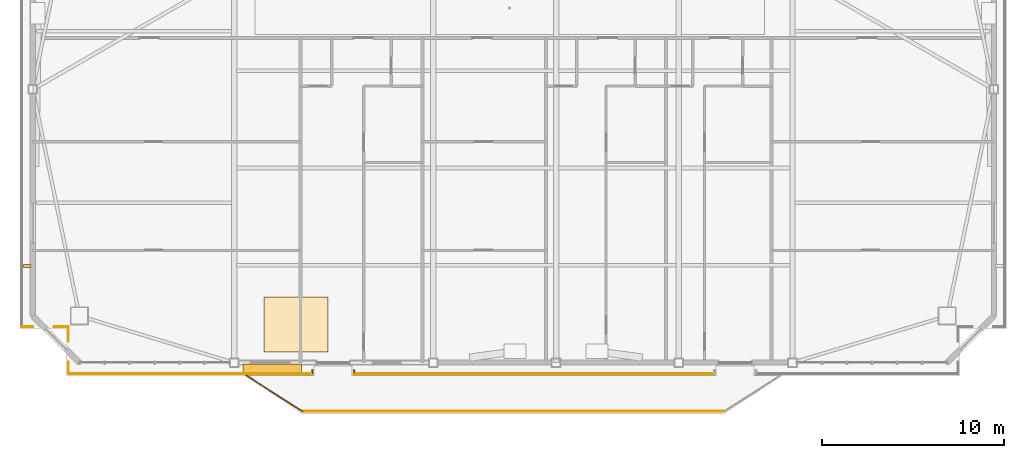
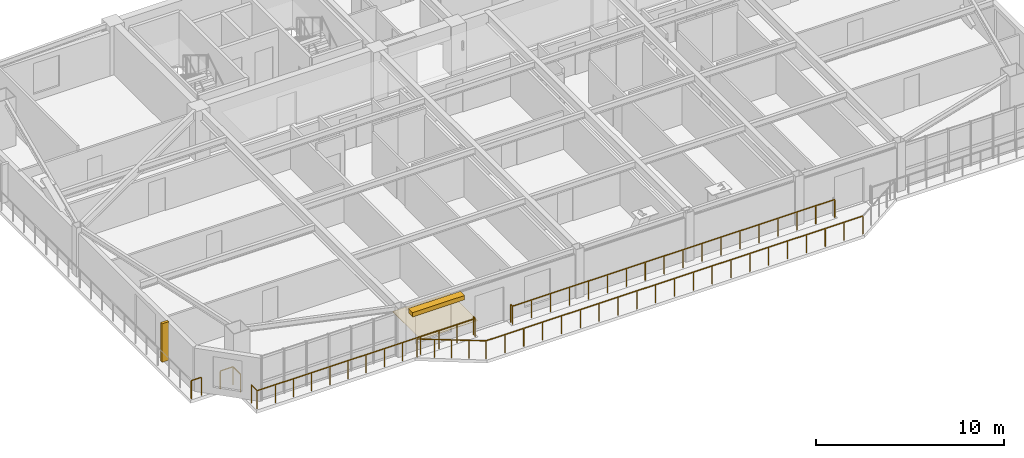
# One storey, part 13 of 18: 10 railings, 2 shading devices, 1 covering.
"""IFC4 building model written with IfcOpenShell, lengths in metres."""

from ifc_helpers import new_model, si_unit, direction, frame, origin, origin_2d, place, context, subcontext, project, spatial, polyline, rectangle, outline, extrude, source, transform, mapped, material, layer, layer_set, type_object, element, save


model = new_model("IFC4")

# Units and contexts
model_context = context("Model", 3, precision=1e-05, world=origin(), true_north=direction((0.0, 1.0)))
body_context = subcontext(model_context, "Body", "Model", "MODEL_VIEW")
ifc_project = project(units=[si_unit("LENGTHUNIT", "METRE"), si_unit("AREAUNIT", "SQUARE_METRE"), si_unit("VOLUMEUNIT", "CUBIC_METRE"), si_unit("PLANEANGLEUNIT", "RADIAN"), si_unit("MASSUNIT", "GRAM", prefix="KILO")], contexts=[model_context])

# Site, building, storey
site_placement = place(None, origin())
site = spatial("IfcSite", under=ifc_project, at=site_placement, CompositionType="ELEMENT")
building_placement = place(site_placement, origin())
building = spatial("IfcBuilding", under=site, at=building_placement, Name="Giltprow Tower", CompositionType="ELEMENT")
storey_placement = place(building_placement, frame((0.0, 0.0, 262.10009765625)))
storey = spatial("IfcBuildingStorey", under=building, at=storey_placement, Name="L67", CompositionType="ELEMENT", Elevation=262.10009765625)

# Covering
ifc_material_1 = material(Name="Engineered oak", Category="wood")
ifc_layer = layer(ifc_material_1, 0.02490234375, Name="Engineered oak")
ifc_layer_set = layer_set([ifc_layer], Name="Engineered oak")
covering_type = type_object("IfcCoveringType", Name="COV-FLR-TIMBER", PredefinedType="FLOORING", material=ifc_layer_set)
covering_placement = place(storey_placement, origin())
element("IfcCovering", 1, at=covering_placement, inside=storey, type_object=covering_type, Name="L67 Residence Oak Parquet Flooring", PredefinedType="FLOORING", context=body_context, shape_type="SweptSolid", body=[
    extrude(outline(polyline([(21.5, 16.64501953125), (25.0, 16.64501953125), (25.0, 19.64501953125), (21.5, 19.64501953125), (21.5, 16.64501953125)])), origin(), (0.0, 0.0, 1.0), 0.02490234375),
])

# Railings
ifc_material_2 = material(Name="Anodized bronze", Category="metal")
railing_type = type_object("IfcRailingType", Name="RAIL-BALC-GUARD-1200", PredefinedType="BALUSTRADE", material=ifc_material_2)
railing_1_placement = place(storey_placement, frame((20.52001953125, 15.344970703125, 0.0)))
element("IfcRailing", 2, at=railing_1_placement, inside=storey, type_object=railing_type, Name="L67 Waterfront Balcony Balustrade Seg 1", PredefinedType="BALUSTRADE", context=body_context, shape_type="SweptSolid", body=[
    extrude(rectangle(XDim=0.048095703125, YDim=0.048095703125, at=origin_2d()), frame((0.0, 0.0, 1.17578125), z_axis=(0.84277487735, -0.538266203757, 0.0), x_axis=(0.538266203757, 0.84277487735, 0.0)), (0.0, 0.0, 1.0), 3.678466796875),
    extrude(rectangle(XDim=0.0419921875, YDim=0.0419921875, at=origin_2d()), origin(), (0.0, 0.0, 1.0), 1.15185546875),
    extrude(rectangle(XDim=0.0419921875, YDim=0.0419921875, at=origin_2d()), frame((0.77490234375, -0.4951171875, 0.0)), (0.0, 0.0, 1.0), 1.15185546875),
    extrude(rectangle(XDim=0.0419921875, YDim=0.0419921875, at=origin_2d()), frame((1.550048828125, -0.989990234375, 0.0)), (0.0, 0.0, 1.0), 1.15185546875),
    extrude(rectangle(XDim=0.0419921875, YDim=0.0419921875, at=origin_2d()), frame((2.3251953125, -1.48486328125, 0.0)), (0.0, 0.0, 1.0), 1.15185546875),
    extrude(rectangle(XDim=0.0419921875, YDim=0.0419921875, at=origin_2d()), frame((3.10009765625, -1.97998046875, 0.0)), (0.0, 0.0, 1.0), 1.15185546875),
])
railing_2_placement = place(storey_placement, frame((23.6201171875, 13.364990234375, 0.0)))
element("IfcRailing", 3, at=railing_2_placement, inside=storey, type_object=railing_type, Name="L67 Waterfront Balcony Balustrade Seg 2", PredefinedType="BALUSTRADE", context=body_context, shape_type="SweptSolid", body=[
    extrude(rectangle(XDim=0.048095703125, YDim=0.048095703125, at=origin_2d()), frame((0.0, 0.0, 1.17578125), z_axis=(1.0, 0.0, 0.0), x_axis=(0.0, 1.0, 0.0)), (0.0, 0.0, 1.0), 23.159912109375),
    extrude(rectangle(XDim=0.0419921875, YDim=0.0419921875, at=origin_2d()), origin(), (0.0, 0.0, 1.0), 1.15185546875),
    extrude(rectangle(XDim=0.0419921875, YDim=0.0419921875, at=origin_2d()), frame((1.157958984375, 0.0, 0.0)), (0.0, 0.0, 1.0), 1.15185546875),
    extrude(rectangle(XDim=0.0419921875, YDim=0.0419921875, at=origin_2d()), frame((2.31591796875, 0.0, 0.0)), (0.0, 0.0, 1.0), 1.15185546875),
    extrude(rectangle(XDim=0.0419921875, YDim=0.0419921875, at=origin_2d()), frame((3.473876953125, 0.0, 0.0)), (0.0, 0.0, 1.0), 1.15185546875),
    extrude(rectangle(XDim=0.0419921875, YDim=0.0419921875, at=origin_2d()), frame((4.632080078125, 0.0, 0.0)), (0.0, 0.0, 1.0), 1.15185546875),
    extrude(rectangle(XDim=0.0419921875, YDim=0.0419921875, at=origin_2d()), frame((5.7900390625, 0.0, 0.0)), (0.0, 0.0, 1.0), 1.15185546875),
    extrude(rectangle(XDim=0.0419921875, YDim=0.0419921875, at=origin_2d()), frame((6.947998046875, 0.0, 0.0)), (0.0, 0.0, 1.0), 1.15185546875),
    extrude(rectangle(XDim=0.0419921875, YDim=0.0419921875, at=origin_2d()), frame((8.10595703125, 0.0, 0.0)), (0.0, 0.0, 1.0), 1.15185546875),
    extrude(rectangle(XDim=0.0419921875, YDim=0.0419921875, at=origin_2d()), frame((9.263916015625, 0.0, 0.0)), (0.0, 0.0, 1.0), 1.15185546875),
    extrude(rectangle(XDim=0.0419921875, YDim=0.0419921875, at=origin_2d()), frame((10.421875, 0.0, 0.0)), (0.0, 0.0, 1.0), 1.15185546875),
    extrude(rectangle(XDim=0.0419921875, YDim=0.0419921875, at=origin_2d()), frame((11.580078125, 0.0, 0.0)), (0.0, 0.0, 1.0), 1.15185546875),
    extrude(rectangle(XDim=0.0419921875, YDim=0.0419921875, at=origin_2d()), frame((12.738037109375, 0.0, 0.0)), (0.0, 0.0, 1.0), 1.15185546875),
    extrude(rectangle(XDim=0.0419921875, YDim=0.0419921875, at=origin_2d()), frame((13.89599609375, 0.0, 0.0)), (0.0, 0.0, 1.0), 1.15185546875),
    extrude(rectangle(XDim=0.0419921875, YDim=0.0419921875, at=origin_2d()), frame((15.053955078125, 0.0, 0.0)), (0.0, 0.0, 1.0), 1.15185546875),
    extrude(rectangle(XDim=0.0419921875, YDim=0.0419921875, at=origin_2d()), frame((16.2119140625, 0.0, 0.0)), (0.0, 0.0, 1.0), 1.15185546875),
    extrude(rectangle(XDim=0.0419921875, YDim=0.0419921875, at=origin_2d()), frame((17.369873046875, 0.0, 0.0)), (0.0, 0.0, 1.0), 1.15185546875),
    extrude(rectangle(XDim=0.0419921875, YDim=0.0419921875, at=origin_2d()), frame((18.52783203125, 0.0, 0.0)), (0.0, 0.0, 1.0), 1.15185546875),
    extrude(rectangle(XDim=0.0419921875, YDim=0.0419921875, at=origin_2d()), frame((19.68603515625, 0.0, 0.0)), (0.0, 0.0, 1.0), 1.15185546875),
    extrude(rectangle(XDim=0.0419921875, YDim=0.0419921875, at=origin_2d()), frame((20.843994140625, 0.0, 0.0)), (0.0, 0.0, 1.0), 1.15185546875),
    extrude(rectangle(XDim=0.0419921875, YDim=0.0419921875, at=origin_2d()), frame((22.001953125, 0.0, 0.0)), (0.0, 0.0, 1.0), 1.15185546875),
    extrude(rectangle(XDim=0.0419921875, YDim=0.0419921875, at=origin_2d()), frame((23.159912109375, 0.0, 0.0)), (0.0, 0.0, 1.0), 1.15185546875),
])
railing_3_placement = place(storey_placement, frame((46.25, 15.445068359375, 0.0)))
element("IfcRailing", 4, at=railing_3_placement, inside=storey, type_object=railing_type, Name="L67 Corner Apron Edge Balustrade 9", PredefinedType="BALUSTRADE", context=body_context, shape_type="SweptSolid", body=[
    extrude(rectangle(XDim=0.048095703125, YDim=0.048095703125, at=origin_2d()), frame((0.0, 0.0, 1.17578125), z_axis=(-1.0, 0.0, 0.0), x_axis=(0.0, -1.0, 0.0)), (0.0, 0.0, 1.0), 19.800048828125),
    extrude(rectangle(XDim=0.0419921875, YDim=0.0419921875, at=origin_2d()), origin(), (0.0, 0.0, 1.0), 1.15185546875),
    extrude(rectangle(XDim=0.0419921875, YDim=0.0419921875, at=origin_2d()), frame((-1.164794921875, 0.0, 0.0)), (0.0, 0.0, 1.0), 1.15185546875),
    extrude(rectangle(XDim=0.0419921875, YDim=0.0419921875, at=origin_2d()), frame((-2.329345703125, 0.0, 0.0)), (0.0, 0.0, 1.0), 1.15185546875),
    extrude(rectangle(XDim=0.0419921875, YDim=0.0419921875, at=origin_2d()), frame((-3.494140625, 0.0, 0.0)), (0.0, 0.0, 1.0), 1.15185546875),
    extrude(rectangle(XDim=0.0419921875, YDim=0.0419921875, at=origin_2d()), frame((-4.658935546875, 0.0, 0.0)), (0.0, 0.0, 1.0), 1.15185546875),
    extrude(rectangle(XDim=0.0419921875, YDim=0.0419921875, at=origin_2d()), frame((-5.823486328125, 0.0, 0.0)), (0.0, 0.0, 1.0), 1.15185546875),
    extrude(rectangle(XDim=0.0419921875, YDim=0.0419921875, at=origin_2d()), frame((-6.98828125, 0.0, 0.0)), (0.0, 0.0, 1.0), 1.15185546875),
    extrude(rectangle(XDim=0.0419921875, YDim=0.0419921875, at=origin_2d()), frame((-8.153076171875, 0.0, 0.0)), (0.0, 0.0, 1.0), 1.15185546875),
    extrude(rectangle(XDim=0.0419921875, YDim=0.0419921875, at=origin_2d()), frame((-9.317626953125, 0.0, 0.0)), (0.0, 0.0, 1.0), 1.15185546875),
    extrude(rectangle(XDim=0.0419921875, YDim=0.0419921875, at=origin_2d()), frame((-10.482421875, 0.0, 0.0)), (0.0, 0.0, 1.0), 1.15185546875),
    extrude(rectangle(XDim=0.0419921875, YDim=0.0419921875, at=origin_2d()), frame((-11.64697265625, 0.0, 0.0)), (0.0, 0.0, 1.0), 1.15185546875),
    extrude(rectangle(XDim=0.0419921875, YDim=0.0419921875, at=origin_2d()), frame((-12.811767578125, 0.0, 0.0)), (0.0, 0.0, 1.0), 1.15185546875),
    extrude(rectangle(XDim=0.0419921875, YDim=0.0419921875, at=origin_2d()), frame((-13.9765625, 0.0, 0.0)), (0.0, 0.0, 1.0), 1.15185546875),
    extrude(rectangle(XDim=0.0419921875, YDim=0.0419921875, at=origin_2d()), frame((-15.14111328125, 0.0, 0.0)), (0.0, 0.0, 1.0), 1.15185546875),
    extrude(rectangle(XDim=0.0419921875, YDim=0.0419921875, at=origin_2d()), frame((-16.305908203125, 0.0, 0.0)), (0.0, 0.0, 1.0), 1.15185546875),
    extrude(rectangle(XDim=0.0419921875, YDim=0.0419921875, at=origin_2d()), frame((-17.470703125, 0.0, 0.0)), (0.0, 0.0, 1.0), 1.15185546875),
    extrude(rectangle(XDim=0.0419921875, YDim=0.0419921875, at=origin_2d()), frame((-18.63525390625, 0.0, 0.0)), (0.0, 0.0, 1.0), 1.15185546875),
    extrude(rectangle(XDim=0.0419921875, YDim=0.0419921875, at=origin_2d()), frame((-19.800048828125, 0.0, 0.0)), (0.0, 0.0, 1.0), 1.15185546875),
])
railing_4_placement = place(storey_placement, frame((26.449951171875, 15.445068359375, 0.0)))
element("IfcRailing", 5, at=railing_4_placement, inside=storey, type_object=railing_type, Name="L67 Corner Apron Edge Balustrade 10", PredefinedType="BALUSTRADE", context=body_context, shape_type="SweptSolid", body=[
    extrude(rectangle(XDim=0.048095703125, YDim=0.048095703125, at=origin_2d()), frame((0.0, 0.0, 1.17578125), z_axis=(0.0, 1.0, 0.0), x_axis=(-1.0, 0.0, 0.0)), (0.0, 0.0, 1.0), 0.199951171875),
    extrude(rectangle(XDim=0.0419921875, YDim=0.0419921875, at=origin_2d()), origin(), (0.0, 0.0, 1.0), 1.15185546875),
    extrude(rectangle(XDim=0.0419921875, YDim=0.0419921875, at=origin_2d()), frame((0.0, 0.199951171875, 0.0)), (0.0, 0.0, 1.0), 1.15185546875),
])
railing_5_placement = place(storey_placement, frame((24.14990234375, 15.64501953125, 0.0)))
element("IfcRailing", 6, at=railing_5_placement, inside=storey, type_object=railing_type, Name="L67 Corner Apron Edge Balustrade 11", PredefinedType="BALUSTRADE", context=body_context, shape_type="SweptSolid", body=[
    extrude(rectangle(XDim=0.048095703125, YDim=0.048095703125, at=origin_2d()), frame((0.0, 0.0, 1.17578125), z_axis=(0.0, -1.0, 0.0), x_axis=(1.0, 0.0, 0.0)), (0.0, 0.0, 1.0), 0.199951171875),
    extrude(rectangle(XDim=0.0419921875, YDim=0.0419921875, at=origin_2d()), origin(), (0.0, 0.0, 1.0), 1.15185546875),
    extrude(rectangle(XDim=0.0419921875, YDim=0.0419921875, at=origin_2d()), frame((0.0, -0.199951171875, 0.0)), (0.0, 0.0, 1.0), 1.15185546875),
])
railing_6_placement = place(storey_placement, frame((24.14990234375, 15.445068359375, 0.0)))
element("IfcRailing", 7, at=railing_6_placement, inside=storey, type_object=railing_type, Name="L67 Corner Apron Edge Balustrade 12", PredefinedType="BALUSTRADE", context=body_context, shape_type="SweptSolid", body=[
    extrude(rectangle(XDim=0.048095703125, YDim=0.048095703125, at=origin_2d()), frame((0.0, 0.0, 1.17578125), z_axis=(-1.0, 0.0, 0.0), x_axis=(0.0, -1.0, 0.0)), (0.0, 0.0, 1.0), 13.40185546875),
    extrude(rectangle(XDim=0.0419921875, YDim=0.0419921875, at=origin_2d()), origin(), (0.0, 0.0, 1.0), 1.15185546875),
    extrude(rectangle(XDim=0.0419921875, YDim=0.0419921875, at=origin_2d()), frame((-1.11669921875, 0.0, 0.0)), (0.0, 0.0, 1.0), 1.15185546875),
    extrude(rectangle(XDim=0.0419921875, YDim=0.0419921875, at=origin_2d()), frame((-2.233642578125, 0.0, 0.0)), (0.0, 0.0, 1.0), 1.15185546875),
    extrude(rectangle(XDim=0.0419921875, YDim=0.0419921875, at=origin_2d()), frame((-3.3505859375, 0.0, 0.0)), (0.0, 0.0, 1.0), 1.15185546875),
    extrude(rectangle(XDim=0.0419921875, YDim=0.0419921875, at=origin_2d()), frame((-4.46728515625, 0.0, 0.0)), (0.0, 0.0, 1.0), 1.15185546875),
    extrude(rectangle(XDim=0.0419921875, YDim=0.0419921875, at=origin_2d()), frame((-5.583984375, 0.0, 0.0)), (0.0, 0.0, 1.0), 1.15185546875),
    extrude(rectangle(XDim=0.0419921875, YDim=0.0419921875, at=origin_2d()), frame((-6.700927734375, 0.0, 0.0)), (0.0, 0.0, 1.0), 1.15185546875),
    extrude(rectangle(XDim=0.0419921875, YDim=0.0419921875, at=origin_2d()), frame((-7.81787109375, 0.0, 0.0)), (0.0, 0.0, 1.0), 1.15185546875),
    extrude(rectangle(XDim=0.0419921875, YDim=0.0419921875, at=origin_2d()), frame((-8.9345703125, 0.0, 0.0)), (0.0, 0.0, 1.0), 1.15185546875),
    extrude(rectangle(XDim=0.0419921875, YDim=0.0419921875, at=origin_2d()), frame((-10.05126953125, 0.0, 0.0)), (0.0, 0.0, 1.0), 1.15185546875),
    extrude(rectangle(XDim=0.0419921875, YDim=0.0419921875, at=origin_2d()), frame((-11.168212890625, 0.0, 0.0)), (0.0, 0.0, 1.0), 1.15185546875),
    extrude(rectangle(XDim=0.0419921875, YDim=0.0419921875, at=origin_2d()), frame((-12.28515625, 0.0, 0.0)), (0.0, 0.0, 1.0), 1.15185546875),
    extrude(rectangle(XDim=0.0419921875, YDim=0.0419921875, at=origin_2d()), frame((-13.40185546875, 0.0, 0.0)), (0.0, 0.0, 1.0), 1.15185546875),
])
railing_7_placement = place(storey_placement, frame((10.748046875, 15.445068359375, 0.0)))
element("IfcRailing", 8, at=railing_7_placement, inside=storey, type_object=railing_type, Name="L67 Corner Apron Edge Balustrade 13", PredefinedType="BALUSTRADE", context=body_context, shape_type="SweptSolid", body=[
    extrude(rectangle(XDim=0.048095703125, YDim=0.048095703125, at=origin_2d()), frame((0.0, 0.0, 1.17578125), z_axis=(0.0, 1.0, 0.0), x_axis=(-1.0, 0.0, 0.0)), (0.0, 0.0, 1.0), 0.619873046875),
    extrude(rectangle(XDim=0.0419921875, YDim=0.0419921875, at=origin_2d()), origin(), (0.0, 0.0, 1.0), 1.15185546875),
    extrude(rectangle(XDim=0.0419921875, YDim=0.0419921875, at=origin_2d()), frame((0.0, 0.619873046875, 0.0)), (0.0, 0.0, 1.0), 1.15185546875),
])
railing_8_placement = place(storey_placement, frame((10.748046875, 17.22509765625, 0.0)))
element("IfcRailing", 9, at=railing_8_placement, inside=storey, type_object=railing_type, Name="L67 Corner Apron Edge Balustrade 14", PredefinedType="BALUSTRADE", context=body_context, shape_type="SweptSolid", body=[
    extrude(rectangle(XDim=0.048095703125, YDim=0.048095703125, at=origin_2d()), frame((0.0, 0.0, 1.17578125), z_axis=(0.0, 1.0, 0.0), x_axis=(-1.0, 0.0, 0.0)), (0.0, 0.0, 1.0), 0.787841796875),
    extrude(rectangle(XDim=0.0419921875, YDim=0.0419921875, at=origin_2d()), origin(), (0.0, 0.0, 1.0), 1.15185546875),
    extrude(rectangle(XDim=0.0419921875, YDim=0.0419921875, at=origin_2d()), frame((0.0, 0.787841796875, 0.0)), (0.0, 0.0, 1.0), 1.15185546875),
])
railing_9_placement = place(storey_placement, frame((10.748046875, 18.012939453125, 0.0)))
element("IfcRailing", 10, at=railing_9_placement, inside=storey, type_object=railing_type, Name="L67 Corner Apron Edge Balustrade 15", PredefinedType="BALUSTRADE", context=body_context, shape_type="SweptSolid", body=[
    extrude(rectangle(XDim=0.048095703125, YDim=0.048095703125, at=origin_2d()), frame((0.0, 0.0, 1.17578125), z_axis=(-1.0, 0.0, 0.0), x_axis=(0.0, -1.0, 0.0)), (0.0, 0.0, 1.0), 0.7880859375),
    extrude(rectangle(XDim=0.0419921875, YDim=0.0419921875, at=origin_2d()), origin(), (0.0, 0.0, 1.0), 1.15185546875),
    extrude(rectangle(XDim=0.0419921875, YDim=0.0419921875, at=origin_2d()), frame((-0.7880859375, 0.0, 0.0)), (0.0, 0.0, 1.0), 1.15185546875),
])
railing_10_placement = place(storey_placement, frame((8.800048828125, 18.012939453125, 0.0)))
element("IfcRailing", 11, at=railing_10_placement, inside=storey, type_object=railing_type, Name="L67 Corner Apron Edge Balustrade 16", PredefinedType="BALUSTRADE", context=body_context, shape_type="SweptSolid", body=[
    extrude(rectangle(XDim=0.048095703125, YDim=0.048095703125, at=origin_2d()), frame((0.0, 0.0, 1.17578125), z_axis=(-1.0, 0.0, 0.0), x_axis=(0.0, -1.0, 0.0)), (0.0, 0.0, 1.0), 0.62109375),
    extrude(rectangle(XDim=0.0419921875, YDim=0.0419921875, at=origin_2d()), origin(), (0.0, 0.0, 1.0), 1.15185546875),
    extrude(rectangle(XDim=0.0419921875, YDim=0.0419921875, at=origin_2d()), frame((-0.62109375, 0.0, 0.0)), (0.0, 0.0, 1.0), 1.15185546875),
])

# Shading devices
shading_device_type_1 = type_object("IfcShadingDeviceType", Name="SHD-FIN-420", PredefinedType="USERDEFINED", material=ifc_material_2)
shared_shape_1 = source(origin(), body_context, "Body", "SweptSolid", [
    extrude(rectangle(XDim=0.419921875, YDim=0.159912109375, at=origin_2d()), origin(), (0.0, 0.0, 1.0), 2.5),
])
shading_device_1_placement = place(storey_placement, frame((8.47900390625, 21.35400390625, 0.349853515625), z_axis=(0.0, 0.0, 1.0), x_axis=(1.0, 0.0, 0.0)))
element("IfcShadingDevice", 12, at=shading_device_1_placement, inside=storey, type_object=shading_device_type_1, Name="L67 W Bronze Vertical Fin 1-1", ObjectType="FIN", PredefinedType="USERDEFINED", context=body_context, shape_type="MappedRepresentation", body=[
    mapped(shared_shape_1, transform((0.0, 0.0, 0.0), x_axis=(1.0, 0.0, 0.0), y_axis=(0.0, 1.0, 0.0), z_axis=(0.0, 0.0, 1.0), scale=1.0)),
])
shading_device_type_2 = type_object("IfcShadingDeviceType", Name="SHD-LOUVRE-320", PredefinedType="JALOUSIE", material=ifc_material_2)
shared_shape_2 = source(origin(), body_context, "Body", "SweptSolid", [
    extrude(rectangle(XDim=3.199951171875, YDim=0.449951171875, at=origin_2d()), origin(), (0.0, 0.0, 1.0), 0.280029296875),
])
shading_device_2_placement = place(storey_placement, frame((21.949951171875, 15.7451171875, 2.56005859375), z_axis=(0.0, 0.0, 1.0), x_axis=(1.0, 0.0, 0.0)))
element("IfcShadingDevice", 13, at=shading_device_2_placement, inside=storey, type_object=shading_device_type_2, Name="L67 Bronze Sunshade Louvre S-2", PredefinedType="JALOUSIE", context=body_context, shape_type="MappedRepresentation", body=[
    mapped(shared_shape_2, transform((0.0, 0.0, 0.0), x_axis=(1.0, 0.0, 0.0), y_axis=(0.0, 1.0, 0.0), z_axis=(0.0, 0.0, 1.0), scale=1.0)),
])

save(model, "model.ifc")
